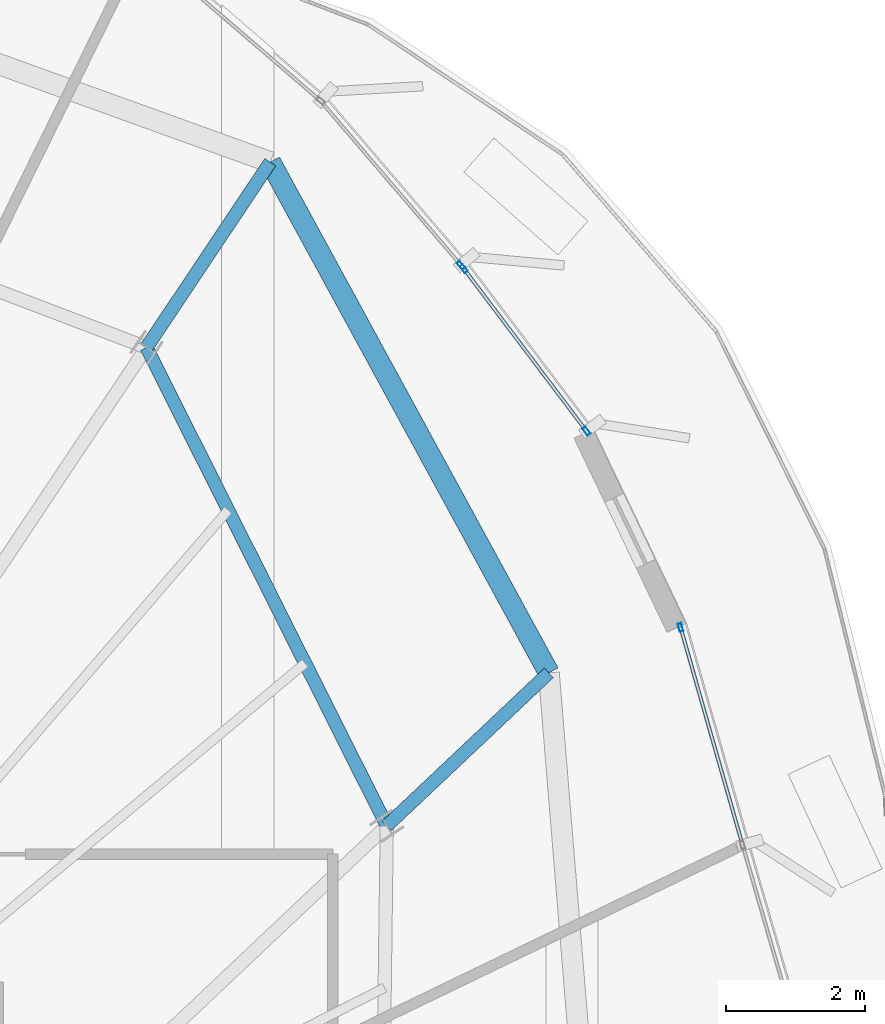
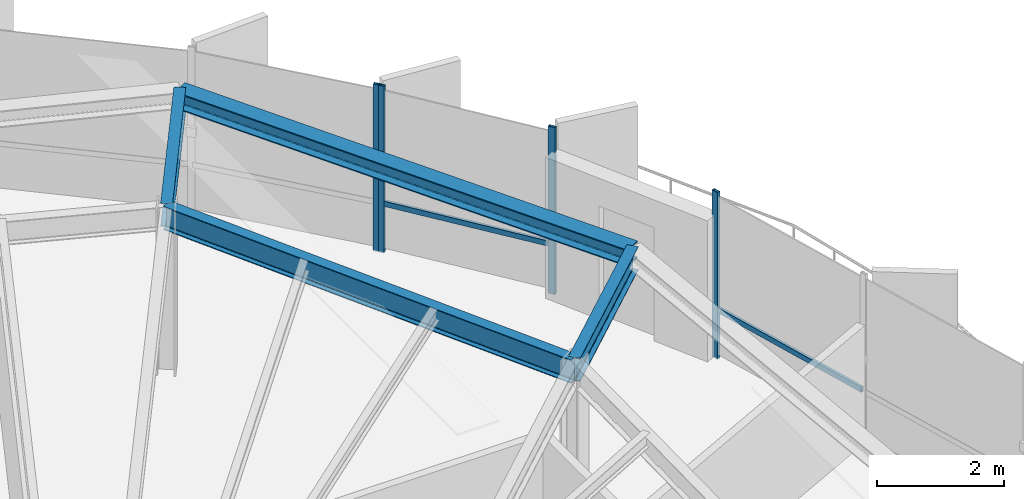
# One storey, part 24 of 34: 6 members, 4 beams, 3 elements without a shape of their own.
"""IFC4 building model written with IfcOpenShell, lengths in metres."""

from ifc_helpers import new_model, si_unit, direction, frame, origin, origin_2d, place, context, subcontext, project, spatial, hollow_rectangle, i_section, extrude, source, transform, mapped, material, layer, layer_set, material_profile, profile_set, type_object, element, aggregate, save


model = new_model("IFC4")

# Units and contexts
model_context = context("Model", 3, precision=1e-05, world=origin(), true_north=direction((0.0, 1.0)))
body_context = subcontext(model_context, "Body", "Model", "MODEL_VIEW")
ifc_project = project(units=[si_unit("LENGTHUNIT", "METRE"), si_unit("AREAUNIT", "SQUARE_METRE"), si_unit("VOLUMEUNIT", "CUBIC_METRE"), si_unit("PLANEANGLEUNIT", "RADIAN"), si_unit("MASSUNIT", "GRAM", prefix="KILO"), si_unit("THERMODYNAMICTEMPERATUREUNIT", "KELVIN")], contexts=[model_context])

# Site, building, storey
site_placement = place(None, origin())
site = spatial("IfcSite", under=ifc_project, at=site_placement, CompositionType="ELEMENT")
building_placement = place(site_placement, origin())
building = spatial("IfcBuilding", under=site, at=building_placement, Name="Kethvar Cultural Tower", CompositionType="ELEMENT")
storey_placement = place(building_placement, frame((0.0, 0.0, 231.85009765625)))
storey = spatial("IfcBuildingStorey", under=building, at=storey_placement, Name="L60", CompositionType="ELEMENT", Elevation=231.85009765625)

# Beams
ifc_material_1 = material(Name="Steel S355J2", Category="steel")
ifc_material_profile_1 = material_profile(ifc_material_1, i_section(OverallWidth=0.18994140625, OverallDepth=0.449951171875, WebThickness=0.009521484375, FlangeThickness=0.0146484375, FilletRadius=0.02099609375, at=origin_2d()), Name="Steel S355J2 — IPE450")
ifc_profile_set_1 = profile_set([ifc_material_profile_1], Name="Steel S355J2 — IPE450")
beam_type_1 = type_object("IfcBeamType", Name="BM-IPE450", PredefinedType="BEAM", material=ifc_profile_set_1)
shared_shape_1 = source(origin(), body_context, "Body", "SweptSolid", [
    extrude(i_section(OverallWidth=0.18994140625, OverallDepth=0.449951171875, WebThickness=0.009521484375, FlangeThickness=0.0146484375, FilletRadius=0.02099609375, at=origin_2d()), origin(), (0.0, 0.0, 1.0), 3.199951171875),
])
beam_1_placement = place(storey_placement, frame((61.32568359375, 37.505859375, 2.98291015625), z_axis=(0.727146433404, 0.686482384616, 0.0), x_axis=(-0.686482384616, 0.727146433404, 0.0)))
element("IfcBeam", 1, at=beam_1_placement, inside=storey, type_object=beam_type_1, Name="L60 Perimeter Cantilever Beam RC-02", PredefinedType="BEAM", context=body_context, shape_type="MappedRepresentation", body=[
    mapped(shared_shape_1, transform((0.0, 0.0, 0.0), scale=1.0)),
])
shared_shape_2 = source(origin(), body_context, "Body", "SweptSolid", [
    extrude(i_section(OverallWidth=0.18994140625, OverallDepth=0.449951171875, WebThickness=0.009521484375, FlangeThickness=0.0146484375, FilletRadius=0.02099609375, at=origin_2d()), origin(), (0.0, 0.0, 1.0), 3.2001953125),
])
beam_2_placement = place(storey_placement, frame((57.875244140625, 44.375, 2.98291015625), z_axis=(0.555544970406, 0.831486491686, 0.0), x_axis=(-0.831486491686, 0.555544970406, 0.0)))
element("IfcBeam", 2, at=beam_2_placement, inside=storey, type_object=beam_type_1, Name="L60 Perimeter Cantilever Beam RC-03", PredefinedType="BEAM", context=body_context, shape_type="MappedRepresentation", body=[
    mapped(shared_shape_2, transform((0.0, 0.0, 0.0), scale=1.0)),
])
shared_shape_3 = source(origin(), body_context, "Body", "SweptSolid", [
    extrude(i_section(OverallWidth=0.18994140625, OverallDepth=0.449951171875, WebThickness=0.009521484375, FlangeThickness=0.0146484375, FilletRadius=0.02099609375, at=origin_2d()), origin(), (0.0, 0.0, 1.0), 7.68701171875),
])
beam_3_placement = place(storey_placement, frame((61.32568359375, 37.505859375, 2.98291015625), z_axis=(-0.448864354142, 0.893599905763, 0.0), x_axis=(-0.893599905763, -0.448864354142, 0.0)))
element("IfcBeam", 3, at=beam_3_placement, inside=storey, type_object=beam_type_1, Name="L60 Column Ring Tie Beam CR-02", PredefinedType="BEAM", context=body_context, shape_type="MappedRepresentation", body=[
    mapped(shared_shape_3, transform((0.0, 0.0, 0.0), scale=1.0)),
])
ifc_material_profile_2 = material_profile(ifc_material_1, i_section(OverallWidth=0.300048828125, OverallDepth=0.320068359375, WebThickness=0.011474609375, FlangeThickness=0.0205078125, FilletRadius=0.027099609375, at=origin_2d()), Name="Steel S355J2 — HEB320")
ifc_profile_set_2 = profile_set([ifc_material_profile_2], Name="Steel S355J2 — HEB320")
beam_type_2 = type_object("IfcBeamType", Name="BM-SP320", PredefinedType="SPANDREL", material=ifc_profile_set_2)
shared_shape_4 = source(origin(), body_context, "Body", "SweptSolid", [
    extrude(i_section(OverallWidth=0.300048828125, OverallDepth=0.320068359375, WebThickness=0.011474609375, FlangeThickness=0.0205078125, FilletRadius=0.027099609375, at=origin_2d()), origin(), (0.0, 0.0, 1.0), 8.35302734375),
])
beam_4_placement = place(storey_placement, frame((63.652587890625, 39.70263671875, 3.0478515625), z_axis=(-0.478811173891, 0.877917911742, 0.0), x_axis=(-0.877917911742, -0.478811173891, 0.0)))
element("IfcBeam", 4, at=beam_4_placement, inside=storey, type_object=beam_type_2, Name="L60 Perimeter Spandrel Beam SP-02", PredefinedType="SPANDREL", context=body_context, shape_type="MappedRepresentation", body=[
    mapped(shared_shape_4, transform((0.0, 0.0, 0.0), scale=1.0)),
])

# Curtain wall, member
ifc_material_2 = material(Name="Aluminium 6063-T6", Category="aluminium")
ifc_layer = layer(ifc_material_2, 0.179931640625, Name="Aluminium 6063-T6", Category="aluminium")
ifc_layer_set = layer_set([ifc_layer], Name="Aluminium 6063-T6 (180 mm)")
curtain_wall_type = type_object("IfcCurtainWallType", Name="CW-SYS-05-Z56", PredefinedType="NOTDEFINED", material=ifc_layer_set)
curtain_wall_1_placement = place(storey_placement, origin())
curtain_wall_1 = element("IfcCurtainWall", 5, at=curtain_wall_1_placement, inside=storey, type_object=curtain_wall_type, Name="L60 Curtain Wall Run 01", PredefinedType="NOTDEFINED")
ifc_material_profile_3 = material_profile(ifc_material_2, hollow_rectangle(XDim=0.054931640625, YDim=0.1201171875, WallThickness=0.00390625, at=origin_2d()), Name="Aluminium 6063-T6 — RHS120x55x4")
ifc_profile_set_3 = profile_set([ifc_material_profile_3], Name="Aluminium 6063-T6 — RHS120x55x4")
member_type_1 = type_object("IfcMemberType", Name="CW-SYS-05-Z56-MUL", PredefinedType="MULLION", material=ifc_profile_set_3)
shared_shape_5 = source(origin(), body_context, "Body", "SweptSolid", [
    extrude(hollow_rectangle(XDim=0.054931640625, YDim=0.1201171875, WallThickness=0.00390625, at=origin_2d()), origin(), (0.0, 0.0, 1.0), 3.2099609375),
])
member_1_placement = place(storey_placement, frame((62.389892578125, 45.55810546875, 0.0), z_axis=(0.0, 0.0, 1.0), x_axis=(-0.760065811178, -0.64984610692, 0.0)))
member_1 = element("IfcMember", 6, at=member_1_placement, type_object=member_type_1, Name="CW-L60-R01 Mullion 1", PredefinedType="MULLION", context=body_context, shape_type="MappedRepresentation", body=[
    mapped(shared_shape_5, transform((0.0, 0.0, 0.0), scale=1.0)),
])
aggregate(curtain_wall_1, [member_1])

curtain_wall_2_placement = place(storey_placement, origin())
curtain_wall_2 = element("IfcCurtainWall", 7, at=curtain_wall_2_placement, inside=storey, type_object=curtain_wall_type, Name="L60 Curtain Wall Run 06", PredefinedType="NOTDEFINED")
member_2_placement = place(storey_placement, frame((65.54345703125, 40.3544921875, 0.0), z_axis=(0.0, 0.0, 1.0), x_axis=(-0.961655195264, -0.274261345111, 0.0)))
member_2 = element("IfcMember", 8, at=member_2_placement, type_object=member_type_1, Name="CW-L60-R06 Mullion 5", PredefinedType="MULLION", context=body_context, shape_type="MappedRepresentation", body=[
    mapped(shared_shape_5, transform((0.0, 0.0, 0.0), scale=1.0)),
])

# Curtain wall, members
curtain_wall_3_placement = place(storey_placement, origin())
curtain_wall_3 = element("IfcCurtainWall", 9, at=curtain_wall_3_placement, inside=storey, type_object=curtain_wall_type, Name="L60 Curtain Wall Run 07", PredefinedType="NOTDEFINED")
member_3_placement = place(storey_placement, frame((64.193359375, 43.173583984375, 0.0), z_axis=(0.0, 0.0, 1.0), x_axis=(-0.798004853043, -0.602651022168, 0.0)))
member_3 = element("IfcMember", 10, at=member_3_placement, type_object=member_type_1, Name="CW-L60-R07 Mullion 1", PredefinedType="MULLION", context=body_context, shape_type="MappedRepresentation", body=[
    mapped(shared_shape_5, transform((0.0, 0.0, 0.0), scale=1.0)),
])
member_4_placement = place(storey_placement, frame((62.430908203125, 45.507080078125, 0.0), z_axis=(0.0, 0.0, 1.0), x_axis=(-0.798004853043, -0.602651022168, 0.0)))
member_4 = element("IfcMember", 11, at=member_4_placement, type_object=member_type_1, Name="CW-L60-R07 Mullion 2", PredefinedType="MULLION", context=body_context, shape_type="MappedRepresentation", body=[
    mapped(shared_shape_5, transform((0.0, 0.0, 0.0), scale=1.0)),
])

# Member
ifc_material_profile_4 = material_profile(ifc_material_2, hollow_rectangle(XDim=0.050048828125, YDim=0.10009765625, WallThickness=0.00390625, at=origin_2d()), Name="Aluminium 6063-T6 — RHS100x50x4")
ifc_profile_set_4 = profile_set([ifc_material_profile_4], Name="Aluminium 6063-T6 — RHS100x50x4")
member_type_2 = type_object("IfcMemberType", Name="CW-SYS-05-Z56-TRN", PredefinedType="USERDEFINED", material=ifc_profile_set_4)
shared_shape_6 = source(origin(), body_context, "Body", "SweptSolid", [
    extrude(hollow_rectangle(XDim=0.050048828125, YDim=0.10009765625, WallThickness=0.00390625, at=origin_2d()), origin(), (0.0, 0.0, 1.0), 3.205078125),
])
member_5_placement = place(storey_placement, frame((66.423583984375, 37.268310546875, 0.949951171875), z_axis=(-0.274218069736, 0.961667536226, 0.0), x_axis=(-0.961667536226, -0.274218069736, 0.0)))
member_5 = element("IfcMember", 12, at=member_5_placement, type_object=member_type_2, Name="CW-L60-R06 Transom 4", ObjectType="TRANSOM", PredefinedType="USERDEFINED", context=body_context, shape_type="MappedRepresentation", body=[
    mapped(shared_shape_6, transform((0.0, 0.0, 0.0), scale=1.0)),
])

aggregate(curtain_wall_2, [member_2, member_5])

shared_shape_7 = source(origin(), body_context, "Body", "SweptSolid", [
    extrude(hollow_rectangle(XDim=0.050048828125, YDim=0.10009765625, WallThickness=0.00390625, at=origin_2d()), origin(), (0.0, 0.0, 1.0), 2.91650390625),
])
member_6_placement = place(storey_placement, frame((64.19091796875, 43.176513671875, 0.949951171875), z_axis=(-0.60263530645, 0.798016721266, 0.0), x_axis=(-0.798016721266, -0.60263530645, 0.0)))
member_6 = element("IfcMember", 13, at=member_6_placement, type_object=member_type_2, Name="CW-L60-R07 Transom 1", ObjectType="TRANSOM", PredefinedType="USERDEFINED", context=body_context, shape_type="MappedRepresentation", body=[
    mapped(shared_shape_7, transform((0.0, 0.0, 0.0), scale=1.0)),
])

aggregate(curtain_wall_3, [member_3, member_4, member_6])

save(model, "model.ifc")
